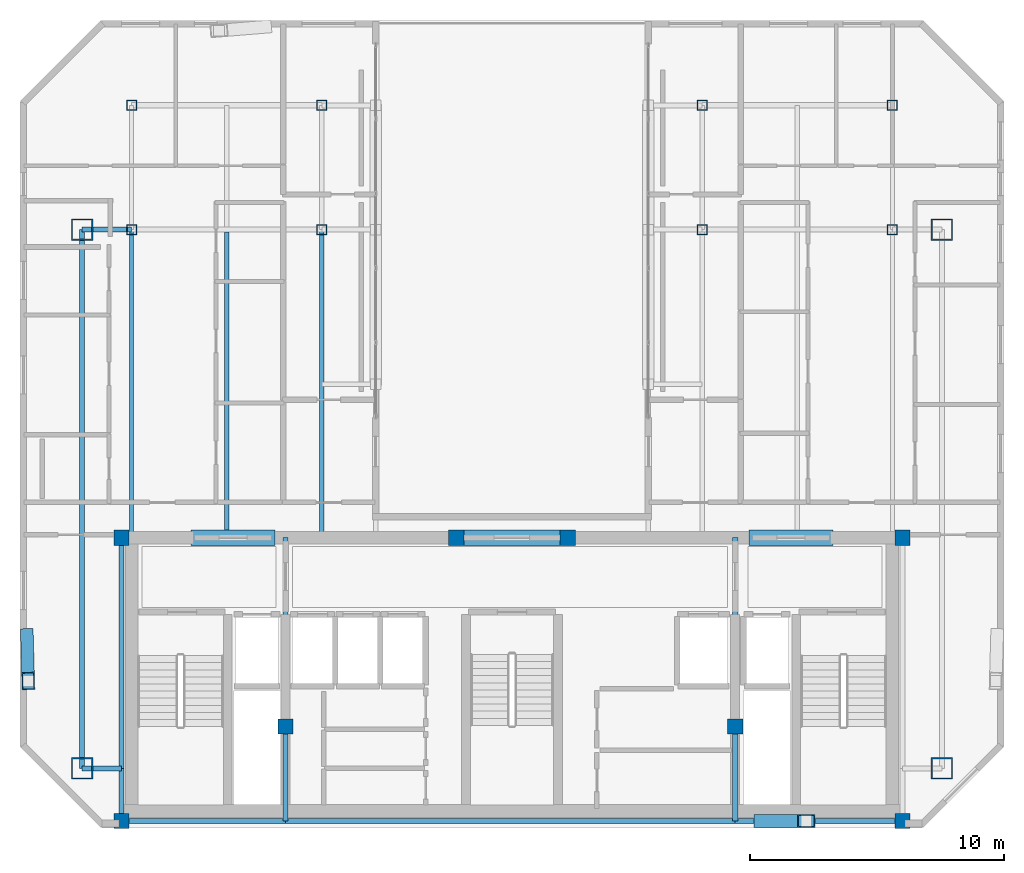
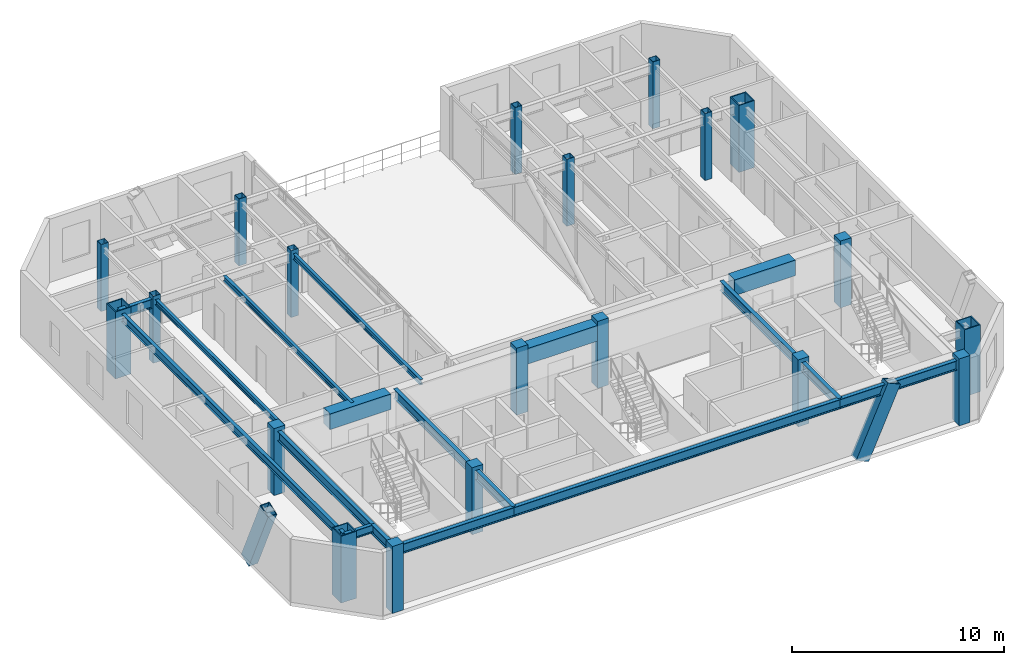
# One storey, part 1 of 14: 20 columns, 18 beams, 2 members.
"""IFC4 building model written with IfcOpenShell, lengths in metres."""

import ifcopenshell
import ifcopenshell.guid

model = None  # the IFC model being written
_history = None  # IfcOwnerHistory: only IFC2X3 demands one
_inside = {}  # id of a spatial element -> (the spatial element, [elements in it])
_under = {}  # id of a project, library or spatial element -> (it, [spatial elements below it])
_declared = {}  # id of a project -> (the project, [libraries it declares])
_typed = {}  # id of a type object -> (the type object, [elements of that type])
_made_of = {}  # id of a material, layer set ... -> (it, [elements and type objects made of it])


def new_model(schema):
    """Start an empty IFC model of exactly this schema.

    Asked for "IFC4X3", IfcOpenShell would pick the latest addendum, in which some entities
    have other attributes; the version numbers below select the first issue.
    IFC2X3 requires an IfcOwnerHistory on every rooted entity: one is made here for all.
    """
    global model, _history
    if schema == "IFC4X3":
        model = ifcopenshell.file(schema_version=(4, 3, 0, 0))
    else:
        model = ifcopenshell.file(schema=schema)
    _inside.clear()
    _under.clear()
    _declared.clear()
    _typed.clear()
    _made_of.clear()
    _history = None
    if model.schema == "IFC2X3":
        org = make("IfcOrganization", Name="unknown")
        user = make(
            "IfcPersonAndOrganization",
            ThePerson=make("IfcPerson", FamilyName="unknown"),
            TheOrganization=org,
        )
        app = make(
            "IfcApplication",
            ApplicationDeveloper=org,
            Version="unknown",
            ApplicationFullName="unknown",
            ApplicationIdentifier="unknown",
        )
        _history = make(
            "IfcOwnerHistory",
            OwningUser=user,
            OwningApplication=app,
            ChangeAction="ADDED",
            CreationDate=0,
        )
    return model


def make(cls, **values):
    """One entity of the class cls with the attributes given. An attribute that is None is left unset."""
    return model.create_entity(
        cls, **{name: value for name, value in values.items() if value is not None}
    )


def rooted(cls, **values):
    """An entity with a GlobalId (a new one), such as an element, a storey or a relation."""
    return make(cls, GlobalId=ifcopenshell.guid.new(), OwnerHistory=_history, **values)


def si_unit(unit_type, name, prefix=None):
    """IfcSIUnit, for example si_unit("LENGTHUNIT", "METRE", prefix="MILLI")."""
    return make("IfcSIUnit", UnitType=unit_type, Prefix=prefix, Name=name)


def assignment(units):
    """IfcUnitAssignment: the units of a project."""
    return None if units is None else make("IfcUnitAssignment", Units=units)


def point(xyz):
    """IfcCartesianPoint."""
    return None if xyz is None else make("IfcCartesianPoint", Coordinates=xyz)


def direction(xyz):
    """IfcDirection."""
    return None if xyz is None else make("IfcDirection", DirectionRatios=xyz)


def frame(location, z_axis=None, x_axis=None):
    """IfcAxis2Placement3D, a coordinate frame: its origin and axes. An axis left out is left unset."""
    return make(
        "IfcAxis2Placement3D",
        Location=point(location),
        Axis=direction(z_axis),
        RefDirection=direction(x_axis),
    )


def frame_2d(location, x_axis=None):
    """IfcAxis2Placement2D, a coordinate frame in the plane: its origin and x axis."""
    return make(
        "IfcAxis2Placement2D", Location=point(location), RefDirection=direction(x_axis)
    )


def origin():
    """The frame at (0, 0, 0) with its axes left unset."""
    return frame((0.0, 0.0, 0.0))


def origin_2d():
    """The frame at (0, 0) in the plane with its x axis left unset."""
    return frame_2d((0.0, 0.0))


def place(relative_to, where):
    """IfcLocalPlacement: puts the frame where relative to a parent placement (None: the world)."""
    return make(
        "IfcLocalPlacement", PlacementRelTo=relative_to, RelativePlacement=where
    )


def context(
    kind, dimensions, precision=None, world=None, true_north=None, identifier=None
):
    """IfcGeometricRepresentationContext, for example the 3D "Model" context."""
    return make(
        "IfcGeometricRepresentationContext",
        ContextIdentifier=identifier,
        ContextType=kind,
        CoordinateSpaceDimension=dimensions,
        Precision=precision,
        WorldCoordinateSystem=world,
        TrueNorth=true_north,
    )


def subcontext(parent, identifier, kind, view, scale=None):
    """IfcGeometricRepresentationSubContext, for example "Body" below "Model"."""
    return make(
        "IfcGeometricRepresentationSubContext",
        ContextIdentifier=identifier,
        ContextType=kind,
        ParentContext=parent,
        TargetScale=scale,
        TargetView=view,
    )


def project(units=None, contexts=None):
    """IfcProject with its units and contexts."""
    return rooted(
        "IfcProject",
        Name="project",
        RepresentationContexts=contexts,
        UnitsInContext=assignment(units),
    )


def spatial(cls, under=None, at=None, **own):
    """A site, building, storey or space (cls), placed at a placement, below another one or the project."""
    s = rooted(cls, ObjectPlacement=at, **own)
    if under is not None:
        _under.setdefault(under.id(), (under, []))[1].append(s)
    return s


def profile(cls, at=None, kind="AREA", **sizes):
    """A parametric profile (cls). Its sizes go by their IFC names, for example OverallWidth=200.0."""
    return make(cls, ProfileType=kind, Position=at, **sizes)


def rectangle(**sizes):
    """IfcRectangleProfileDef."""
    return profile("IfcRectangleProfileDef", **sizes)


def hollow_rectangle(**sizes):
    """IfcRectangleHollowProfileDef."""
    return profile("IfcRectangleHollowProfileDef", **sizes)


def i_section(**sizes):
    """IfcIShapeProfileDef."""
    return profile("IfcIShapeProfileDef", **sizes)


def extrude(swept, where, along, depth):
    """IfcExtrudedAreaSolid: the profile swept, set in the frame where, extruded along a direction by depth."""
    return make(
        "IfcExtrudedAreaSolid",
        SweptArea=swept,
        Position=where,
        ExtrudedDirection=direction(along),
        Depth=depth,
    )


def shape(context_of_items, identifier, shape_type, items):
    """IfcShapeRepresentation: the items that make up one representation, for example the "Body"."""
    return make(
        "IfcShapeRepresentation",
        ContextOfItems=context_of_items,
        RepresentationIdentifier=identifier,
        RepresentationType=shape_type,
        Items=items,
    )


def material(Name=None, Category=None):
    """IfcMaterial."""
    return make("IfcMaterial", Name=Name, Category=Category)


def material_profile(
    of_material, cross_section, Name=None, Category=None, Priority=None
):
    """IfcMaterialProfile: a cross section and its material."""
    return make(
        "IfcMaterialProfile",
        Name=Name,
        Material=of_material,
        Profile=cross_section,
        Priority=Priority,
        Category=Category,
    )


def profile_set(profiles, Name=None, composite=None):
    """IfcMaterialProfileSet."""
    return make(
        "IfcMaterialProfileSet",
        Name=Name,
        MaterialProfiles=profiles,
        CompositeProfile=composite,
    )


def made_of(thing, what):
    """Note that an element or type object is made of a material, layer set ...; save() writes the relation."""
    if what is not None:
        _made_of.setdefault(what.id(), (what, []))[1].append(thing)
    return thing


def type_object(cls, material=None, **own):
    """A type object (cls), such as IfcWallType, which elements share."""
    return made_of(rooted(cls, **own), material)


def element(
    cls,
    number,
    at=None,
    inside=None,
    cuts=None,
    type_object=None,
    material=None,
    context=None,
    identifier="Body",
    shape_type=None,
    held_by="IfcProductDefinitionShape",
    body=None,
    shapes=None,
    **own,
):
    """One element of the class cls, such as IfcWall. Its Tag is "e" and its number.

    at: its placement. inside: the storey or other place that contains it. cuts: it is an
    opening in that element (IfcRelVoidsElement). A single representation is given by context,
    identifier, shape_type and body (its items); several are given by shapes. held_by: the class
    of the entity that holds the representations. save() writes the other relations.
    """
    e = rooted(cls, Tag="e%d" % number, ObjectPlacement=at, **own)
    if body is not None:
        shapes = [shape(context, identifier, shape_type, body)]
    if shapes is not None:
        e.Representation = make(held_by, Representations=shapes)
    if inside is not None:
        _inside.setdefault(inside.id(), (inside, []))[1].append(e)
    if cuts is not None:
        rooted(
            "IfcRelVoidsElement", RelatingBuildingElement=cuts, RelatedOpeningElement=e
        )
    if type_object is not None:
        _typed.setdefault(type_object.id(), (type_object, []))[1].append(e)
    return made_of(e, material)


def aggregate(whole, parts):
    """IfcRelAggregates: a whole, such as a stair, and the parts it consists of."""
    return rooted("IfcRelAggregates", RelatingObject=whole, RelatedObjects=parts)


def save(model, path):
    """Write the relations noted so far, then the file.

    IfcRelAggregates (storeys below a building ...), IfcRelContainedInSpatialStructure (elements
    in a storey), IfcRelDefinesByType, IfcRelAssociatesMaterial and IfcRelDeclares: one each for
    every whole, place, type object, material and project.
    """
    for whole, parts in _under.values():
        aggregate(whole, parts)
    for where, things in _inside.values():
        rooted(
            "IfcRelContainedInSpatialStructure",
            RelatedElements=things,
            RelatingStructure=where,
        )
    for kind, things in _typed.values():
        rooted("IfcRelDefinesByType", RelatedObjects=things, RelatingType=kind)
    for what, things in _made_of.values():
        rooted("IfcRelAssociatesMaterial", RelatedObjects=things, RelatingMaterial=what)
    for by, libraries in _declared.values():
        rooted("IfcRelDeclares", RelatingContext=by, RelatedDefinitions=libraries)
    model.write(path)


model = new_model("IFC4")

# Units and contexts
model_context = context("Model", 3, precision=1e-05, world=origin(), true_north=direction((0.0, 1.0)))
body_context = subcontext(model_context, "Body", "Model", "MODEL_VIEW")
ifc_project = project(units=[si_unit("LENGTHUNIT", "METRE"), si_unit("AREAUNIT", "SQUARE_METRE"), si_unit("VOLUMEUNIT", "CUBIC_METRE"), si_unit("PLANEANGLEUNIT", "RADIAN"), si_unit("MASSUNIT", "GRAM", prefix="KILO")], contexts=[model_context])

# Site, building, storey
site_placement = place(None, origin())
site = spatial("IfcSite", under=ifc_project, at=site_placement, CompositionType="ELEMENT")
building_placement = place(site_placement, origin())
building = spatial("IfcBuilding", under=site, at=building_placement, Name="Ventersveld Concourse Tower", CompositionType="ELEMENT")
storey_placement = place(building_placement, frame((0.0, 0.0, 337.5)))
storey = spatial("IfcBuildingStorey", under=building, at=storey_placement, Name="L83", CompositionType="ELEMENT", Elevation=337.5)

# Columns
ifc_material_1 = material(Name="Concrete C50/60", Category="concrete")
ifc_material_profile_1 = material_profile(ifc_material_1, rectangle(XDim=0.60009765625, YDim=0.60009765625, at=origin_2d()), Name="RC 600x600")
ifc_profile_set_1 = profile_set([ifc_material_profile_1], Name="Concrete C50/60")
column_type_1 = type_object("IfcColumnType", Name="COL-RC600", PredefinedType="COLUMN", material=ifc_profile_set_1)
for number, where, z_axis, x_axis, name in (
    (1, (13.35009765625, 0.280029296875, 0.0), (0.0, 0.0, 1.0), (1.0, 0.0, 0.0), "L83 Core Spine Column CC-SW"),
    (2, (44.14990234375, 0.280029296875, 0.0), (0.0, 0.0, 1.0), (1.0, 0.0, 0.0), "L83 Core Spine Column CC-SE"),
    (3, (13.35009765625, 11.449951171875, 0.0), (0.0, 0.0, 1.0), (1.0, 0.0, 0.0), "L83 Core Spine Column CC-NW"),
    (4, (44.14990234375, 11.449951171875, 0.0), (0.0, 0.0, 1.0), (1.0, 0.0, 0.0), "L83 Core Spine Column CC-NE"),
    (5, (19.820068359375, 4.0, 0.0), (0.0, 0.0, 1.0), (1.0, 0.0, 0.0), "L83 Core Spine Column CM-1"),
    (6, (37.550048828125, 4.0, 0.0), (0.0, 0.0, 1.0), (1.0, 0.0, 0.0), "L83 Core Spine Column CM-2"),
    (7, (26.550048828125, 11.449951171875, 0.0), (0.0, 0.0, 1.0), (1.0, 0.0, 0.0), "L83 Core Spine Column CM-3"),
    (8, (30.949951171875, 11.449951171875, 0.0), (0.0, 0.0, 1.0), (1.0, 0.0, 0.0), "L83 Core Spine Column CM-4"),
):
    element("IfcColumn", number, at=place(storey_placement, frame(where, z_axis=z_axis, x_axis=x_axis)), inside=storey, type_object=column_type_1, Name=name, PredefinedType="COLUMN", context=body_context, shape_type="SweptSolid", body=[
        extrude(rectangle(XDim=0.60009765625, YDim=0.60009765625, at=origin_2d()), origin(), (0.0, 0.0, 1.0), 3.85009765625),
    ])
ifc_material_2 = material(Name="Structural steel S355J2", Category="steel")
ifc_material_profile_2 = material_profile(ifc_material_2, hollow_rectangle(XDim=0.39990234375, YDim=0.39990234375, WallThickness=0.02001953125, at=origin_2d()), Name="SHS 400x400x20")
ifc_profile_set_2 = profile_set([ifc_material_profile_2], Name="Structural steel S355J2")
column_type_2 = type_object("IfcColumnType", Name="COL-SHS400", PredefinedType="COLUMN", material=ifc_profile_set_2)
for number, where, z_axis, x_axis, name in (
    (9, (13.75, 23.60009765625, 0.0), (0.0, 0.0, 1.0), (1.0, 0.0, 0.0), "L83 Interior Gravity Column X=13.75 Y=23.60"),
    (10, (21.25, 23.60009765625, 0.0), (0.0, 0.0, 1.0), (1.0, 0.0, 0.0), "L83 Interior Gravity Column X=21.25 Y=23.60"),
    (11, (36.25, 23.60009765625, 0.0), (0.0, 0.0, 1.0), (1.0, 0.0, 0.0), "L83 Interior Gravity Column X=36.25 Y=23.60"),
    (12, (43.75, 23.60009765625, 0.0), (0.0, 0.0, 1.0), (1.0, 0.0, 0.0), "L83 Interior Gravity Column X=43.75 Y=23.60"),
    (13, (13.75, 28.5, 0.0), (0.0, 0.0, 1.0), (1.0, 0.0, 0.0), "L83 Upper-North Gravity Column X=13.75 Y=28.50"),
    (14, (21.25, 28.5, 0.0), (0.0, 0.0, 1.0), (1.0, 0.0, 0.0), "L83 Upper-North Gravity Column X=21.25 Y=28.50"),
    (15, (36.25, 28.5, 0.0), (0.0, 0.0, 1.0), (1.0, 0.0, 0.0), "L83 Upper-North Gravity Column X=36.25 Y=28.50"),
    (16, (43.75, 28.5, 0.0), (0.0, 0.0, 1.0), (1.0, 0.0, 0.0), "L83 Upper-North Gravity Column X=43.75 Y=28.50"),
):
    element("IfcColumn", number, at=place(storey_placement, frame(where, z_axis=z_axis, x_axis=x_axis)), inside=storey, type_object=column_type_2, Name=name, PredefinedType="COLUMN", context=body_context, shape_type="SweptSolid", body=[
        extrude(hollow_rectangle(XDim=0.39990234375, YDim=0.39990234375, WallThickness=0.02001953125, at=origin_2d()), origin(), (0.0, 0.0, 1.0), 3.85009765625),
    ])
ifc_material_3 = material(Name="Structural steel S460ML", Category="steel")
ifc_material_profile_3 = material_profile(ifc_material_3, hollow_rectangle(XDim=0.85009765625, YDim=0.85009765625, WallThickness=0.050048828125, at=origin_2d()), Name="BOX 850x850x50")
ifc_profile_set_3 = profile_set([ifc_material_profile_3], Name="Structural steel S460ML")
column_type_3 = type_object("IfcColumnType", Name="MC-850", PredefinedType="USERDEFINED", material=ifc_profile_set_3)
for number, where, z_axis, x_axis, name in (
    (17, (11.800048828125, 2.35009765625, 0.0), (0.0, 0.0, 1.0), (1.0, 0.0, 0.0), "L83 Corner Mega-Column MC-SW"),
    (18, (45.699951171875, 2.35009765625, 0.0), (0.0, 0.0, 1.0), (1.0, 0.0, 0.0), "L83 Corner Mega-Column MC-SE"),
    (19, (45.699951171875, 23.60009765625, 0.0), (0.0, 0.0, 1.0), (1.0, 0.0, 0.0), "L83 Corner Mega-Column MC-NE"),
    (20, (11.800048828125, 23.60009765625, 0.0), (0.0, 0.0, 1.0), (1.0, 0.0, 0.0), "L83 Corner Mega-Column MC-NW"),
):
    element("IfcColumn", number, at=place(storey_placement, frame(where, z_axis=z_axis, x_axis=x_axis)), inside=storey, type_object=column_type_3, Name=name, ObjectType="MEGA_COLUMN", PredefinedType="USERDEFINED", context=body_context, shape_type="SweptSolid", body=[
        extrude(hollow_rectangle(XDim=0.85009765625, YDim=0.85009765625, WallThickness=0.050048828125, at=origin_2d()), origin(), (0.0, 0.0, 1.0), 3.85009765625),
    ])

# Beams
ifc_material_profile_4 = material_profile(ifc_material_2, i_section(OverallWidth=0.1650390625, OverallDepth=0.303466796875, WebThickness=0.006103515625, FlangeThickness=0.01025390625, FilletRadius=0.0087890625, at=origin_2d()), Name="UB 305x165x40")
ifc_profile_set_4 = profile_set([ifc_material_profile_4], Name="Structural steel S355J2")
beam_type_1 = type_object("IfcBeamType", Name="BM-UB305", PredefinedType="BEAM", material=ifc_profile_set_4)
beam_1_placement = place(storey_placement, frame((13.75, 11.449951171875, 3.478271484375), z_axis=(0.0, 1.0, 0.0), x_axis=(-1.0, 0.0, 0.0)))
element("IfcBeam", 21, at=beam_1_placement, inside=storey, type_object=beam_type_1, Name="L83 N-S Composite Floor Beam South X=13.75", PredefinedType="BEAM", context=body_context, shape_type="SweptSolid", body=[
    extrude(i_section(OverallWidth=0.1650390625, OverallDepth=0.303466796875, WebThickness=0.006103515625, FlangeThickness=0.01025390625, FilletRadius=0.0087890625, at=origin_2d()), origin(), (0.0, 0.0, 1.0), 12.150146484375),
])
beam_2_placement = place(storey_placement, frame((17.5, 11.449951171875, 3.478271484375), z_axis=(0.0, 1.0, 0.0), x_axis=(-1.0, 0.0, 0.0)))
element("IfcBeam", 22, at=beam_2_placement, inside=storey, type_object=beam_type_1, Name="L83 N-S Composite Floor Beam South X=17.50", PredefinedType="BEAM", context=body_context, shape_type="SweptSolid", body=[
    extrude(i_section(OverallWidth=0.1650390625, OverallDepth=0.303466796875, WebThickness=0.006103515625, FlangeThickness=0.01025390625, FilletRadius=0.0087890625, at=origin_2d()), origin(), (0.0, 0.0, 1.0), 12.054931640625),
])
beam_3_placement = place(storey_placement, frame((21.25, 11.449951171875, 3.478271484375), z_axis=(0.0, 1.0, 0.0), x_axis=(-1.0, 0.0, 0.0)))
element("IfcBeam", 23, at=beam_3_placement, inside=storey, type_object=beam_type_1, Name="L83 N-S Composite Floor Beam South X=21.25", PredefinedType="BEAM", context=body_context, shape_type="SweptSolid", body=[
    extrude(i_section(OverallWidth=0.1650390625, OverallDepth=0.303466796875, WebThickness=0.006103515625, FlangeThickness=0.01025390625, FilletRadius=0.0087890625, at=origin_2d()), origin(), (0.0, 0.0, 1.0), 12.150146484375),
])
ifc_material_profile_5 = material_profile(ifc_material_1, rectangle(XDim=0.60009765625, YDim=0.89990234375, at=origin_2d()), Name="RC 600x900")
ifc_profile_set_5 = profile_set([ifc_material_profile_5], Name="Concrete C50/60")
beam_type_2 = type_object("IfcBeamType", Name="CB-RC600x900U", PredefinedType="LINTEL", material=ifc_profile_set_5)
beam_4_placement = place(storey_placement, frame((16.10009765625, 11.449951171875, 3.179931640625), z_axis=(1.0, 0.0, 0.0), x_axis=(0.0, 1.0, 0.0)))
element("IfcBeam", 24, at=beam_4_placement, inside=storey, type_object=beam_type_2, Name="L83 Core Coupling Lintel Beam 1", PredefinedType="LINTEL", context=body_context, shape_type="SweptSolid", body=[
    extrude(rectangle(XDim=0.60009765625, YDim=0.89990234375, at=origin_2d()), origin(), (0.0, 0.0, 1.0), 3.2998046875),
])
beam_5_placement = place(storey_placement, frame((26.5, 11.449951171875, 3.179931640625), z_axis=(1.0, 0.0, 0.0), x_axis=(0.0, 1.0, 0.0)))
element("IfcBeam", 25, at=beam_5_placement, inside=storey, type_object=beam_type_2, Name="L83 Core Coupling Lintel Beam 2", PredefinedType="LINTEL", context=body_context, shape_type="SweptSolid", body=[
    extrude(rectangle(XDim=0.60009765625, YDim=0.89990234375, at=origin_2d()), origin(), (0.0, 0.0, 1.0), 4.5),
])
beam_6_placement = place(storey_placement, frame((38.10009765625, 11.449951171875, 3.179931640625), z_axis=(1.0, 0.0, 0.0), x_axis=(0.0, 1.0, 0.0)))
element("IfcBeam", 26, at=beam_6_placement, inside=storey, type_object=beam_type_2, Name="L83 Core Coupling Lintel Beam 3", PredefinedType="LINTEL", context=body_context, shape_type="SweptSolid", body=[
    extrude(rectangle(XDim=0.60009765625, YDim=0.89990234375, at=origin_2d()), origin(), (0.0, 0.0, 1.0), 3.2998046875),
])
ifc_material_profile_6 = material_profile(ifc_material_2, i_section(OverallWidth=0.209228515625, OverallDepth=0.533203125, WebThickness=0.010009765625, FlangeThickness=0.015625, FilletRadius=0.0126953125, at=origin_2d()), Name="UB 533x210x92")
ifc_profile_set_6 = profile_set([ifc_material_profile_6], Name="Structural steel S355J2")
beam_type_3 = type_object("IfcBeamType", Name="GRD-UB533", PredefinedType="T_BEAM", material=ifc_profile_set_6)
beam_7_placement = place(storey_placement, frame((11.800048828125, 23.60009765625, 3.363525390625), z_axis=(1.0, 0.0, 0.0), x_axis=(0.0, 1.0, 0.0)))
element("IfcBeam", 27, at=beam_7_placement, inside=storey, type_object=beam_type_3, Name="L83 Primary E-W Grid Girder Y=23.60 #1", PredefinedType="T_BEAM", context=body_context, shape_type="SweptSolid", body=[
    extrude(i_section(OverallWidth=0.209228515625, OverallDepth=0.533203125, WebThickness=0.010009765625, FlangeThickness=0.015625, FilletRadius=0.0126953125, at=origin_2d()), origin(), (0.0, 0.0, 1.0), 1.949951171875),
])
ifc_material_profile_7 = material_profile(ifc_material_2, i_section(OverallWidth=0.2119140625, OverallDepth=0.54443359375, WebThickness=0.0126953125, FlangeThickness=0.021240234375, FilletRadius=0.0126953125, at=origin_2d()), Name="UB 533x210x122")
ifc_profile_set_7 = profile_set([ifc_material_profile_7], Name="Structural steel S355J2")
beam_type_4 = type_object("IfcBeamType", Name="GRD-UB533H", PredefinedType="T_BEAM", material=ifc_profile_set_7)
beam_8_placement = place(storey_placement, frame((13.35009765625, 0.280029296875, 3.35791015625), z_axis=(0.0, 1.0, 0.0), x_axis=(-1.0, 0.0, 0.0)))
element("IfcBeam", 28, at=beam_8_placement, inside=storey, type_object=beam_type_4, Name="L83 Core West Tie Beam S", PredefinedType="T_BEAM", context=body_context, shape_type="SweptSolid", body=[
    extrude(i_section(OverallWidth=0.2119140625, OverallDepth=0.54443359375, WebThickness=0.0126953125, FlangeThickness=0.021240234375, FilletRadius=0.0126953125, at=origin_2d()), origin(), (0.0, 0.0, 1.0), 2.070068359375),
])
beam_9_placement = place(storey_placement, frame((13.35009765625, 2.35009765625, 3.35791015625), z_axis=(0.0, 1.0, 0.0), x_axis=(-1.0, 0.0, 0.0)))
element("IfcBeam", 29, at=beam_9_placement, inside=storey, type_object=beam_type_4, Name="L83 Core West Tie Beam N", PredefinedType="T_BEAM", context=body_context, shape_type="SweptSolid", body=[
    extrude(i_section(OverallWidth=0.2119140625, OverallDepth=0.54443359375, WebThickness=0.0126953125, FlangeThickness=0.021240234375, FilletRadius=0.0126953125, at=origin_2d()), origin(), (0.0, 0.0, 1.0), 9.099853515625),
])
beam_10_placement = place(storey_placement, frame((13.35009765625, 0.280029296875, 3.35791015625), z_axis=(1.0, 0.0, 0.0), x_axis=(0.0, 1.0, 0.0)))
element("IfcBeam", 30, at=beam_10_placement, inside=storey, type_object=beam_type_4, Name="L83 Core South Tie Beam W", PredefinedType="T_BEAM", context=body_context, shape_type="SweptSolid", body=[
    extrude(i_section(OverallWidth=0.2119140625, OverallDepth=0.54443359375, WebThickness=0.0126953125, FlangeThickness=0.021240234375, FilletRadius=0.0126953125, at=origin_2d()), origin(), (0.0, 0.0, 1.0), 6.469970703125),
])
beam_11_placement = place(storey_placement, frame((19.820068359375, 0.280029296875, 3.35791015625), z_axis=(1.0, 0.0, 0.0), x_axis=(0.0, 1.0, 0.0)))
element("IfcBeam", 31, at=beam_11_placement, inside=storey, type_object=beam_type_4, Name="L83 Core South Tie Beam C", PredefinedType="T_BEAM", context=body_context, shape_type="SweptSolid", body=[
    extrude(i_section(OverallWidth=0.2119140625, OverallDepth=0.54443359375, WebThickness=0.0126953125, FlangeThickness=0.021240234375, FilletRadius=0.0126953125, at=origin_2d()), origin(), (0.0, 0.0, 1.0), 17.72998046875),
])
beam_12_placement = place(storey_placement, frame((37.550048828125, 0.280029296875, 3.35791015625), z_axis=(1.0, 0.0, 0.0), x_axis=(0.0, 1.0, 0.0)))
element("IfcBeam", 32, at=beam_12_placement, inside=storey, type_object=beam_type_4, Name="L83 Core South Tie Beam E", PredefinedType="T_BEAM", context=body_context, shape_type="SweptSolid", body=[
    extrude(i_section(OverallWidth=0.2119140625, OverallDepth=0.54443359375, WebThickness=0.0126953125, FlangeThickness=0.021240234375, FilletRadius=0.0126953125, at=origin_2d()), origin(), (0.0, 0.0, 1.0), 6.599853515625),
])
beam_13_placement = place(storey_placement, frame((19.820068359375, 0.280029296875, 3.35791015625), z_axis=(0.0, 1.0, 0.0), x_axis=(-1.0, 0.0, 0.0)))
element("IfcBeam", 33, at=beam_13_placement, inside=storey, type_object=beam_type_4, Name="L83 Core Spine N-S Tie Beam W1", PredefinedType="T_BEAM", context=body_context, shape_type="SweptSolid", body=[
    extrude(i_section(OverallWidth=0.2119140625, OverallDepth=0.54443359375, WebThickness=0.0126953125, FlangeThickness=0.021240234375, FilletRadius=0.0126953125, at=origin_2d()), origin(), (0.0, 0.0, 1.0), 3.719970703125),
])
beam_14_placement = place(storey_placement, frame((19.820068359375, 4.0, 3.35791015625), z_axis=(0.0, 1.0, 0.0), x_axis=(-1.0, 0.0, 0.0)))
element("IfcBeam", 34, at=beam_14_placement, inside=storey, type_object=beam_type_4, Name="L83 Core Spine N-S Tie Beam W2", PredefinedType="T_BEAM", context=body_context, shape_type="SweptSolid", body=[
    extrude(i_section(OverallWidth=0.2119140625, OverallDepth=0.54443359375, WebThickness=0.0126953125, FlangeThickness=0.021240234375, FilletRadius=0.0126953125, at=origin_2d()), origin(), (0.0, 0.0, 1.0), 7.449951171875),
])
beam_15_placement = place(storey_placement, frame((37.550048828125, 0.280029296875, 3.35791015625), z_axis=(0.0, 1.0, 0.0), x_axis=(-1.0, 0.0, 0.0)))
element("IfcBeam", 35, at=beam_15_placement, inside=storey, type_object=beam_type_4, Name="L83 Core Spine N-S Tie Beam E1", PredefinedType="T_BEAM", context=body_context, shape_type="SweptSolid", body=[
    extrude(i_section(OverallWidth=0.2119140625, OverallDepth=0.54443359375, WebThickness=0.0126953125, FlangeThickness=0.021240234375, FilletRadius=0.0126953125, at=origin_2d()), origin(), (0.0, 0.0, 1.0), 3.719970703125),
])
beam_16_placement = place(storey_placement, frame((37.550048828125, 4.0, 3.35791015625), z_axis=(0.0, 1.0, 0.0), x_axis=(-1.0, 0.0, 0.0)))
element("IfcBeam", 36, at=beam_16_placement, inside=storey, type_object=beam_type_4, Name="L83 Core Spine N-S Tie Beam E2", PredefinedType="T_BEAM", context=body_context, shape_type="SweptSolid", body=[
    extrude(i_section(OverallWidth=0.2119140625, OverallDepth=0.54443359375, WebThickness=0.0126953125, FlangeThickness=0.021240234375, FilletRadius=0.0126953125, at=origin_2d()), origin(), (0.0, 0.0, 1.0), 7.449951171875),
])

# Members
ifc_material_4 = material(Name="Structural steel S355ML", Category="steel")
ifc_material_profile_8 = material_profile(ifc_material_4, hollow_rectangle(XDim=0.5, YDim=0.75, WallThickness=0.034912109375, at=origin_2d()), Name="BOX 750x500x35")
ifc_profile_set_8 = profile_set([ifc_material_profile_8], Name="Structural steel S355ML")
member_type = type_object("IfcMemberType", Name="MB-750x500", PredefinedType="BRACE", material=ifc_profile_set_8)
for number, where, z_axis, x_axis, name in (
    (37, (38.62841796875, 0.280029296875, -0.219970703125), (0.408676968116, 0.0, 0.912679097893), (0.0, 1.0, 0.0), "L83 Exterior Mega-Brace S (Module M20)"),
    (38, (9.62353515625, 7.521484375, -0.219970703125), (0.011632977634, -0.408601104942, 0.912638926888), (0.9995949685, 0.028458723607, 0.0), "L83 Exterior Mega-Brace W (Module M20)"),
):
    element("IfcMember", number, at=place(storey_placement, frame(where, z_axis=z_axis, x_axis=x_axis)), inside=storey, type_object=member_type, Name=name, PredefinedType="BRACE", context=body_context, shape_type="SweptSolid", body=[
        extrude(hollow_rectangle(XDim=0.5, YDim=0.75, WallThickness=0.034912109375, at=origin_2d()), origin(), (0.0, 0.0, 1.0), 4.21826171875),
    ])

# Beams
ifc_material_profile_9 = material_profile(ifc_material_2, i_section(OverallWidth=0.19140625, OverallDepth=0.4599609375, WebThickness=0.010009765625, FlangeThickness=0.01611328125, FilletRadius=0.01025390625, at=origin_2d()), Name="UB 457x191x82")
ifc_profile_set_9 = profile_set([ifc_material_profile_9], Name="Structural steel S355J2")
beam_type_5 = type_object("IfcBeamType", Name="SPD-UB457", PredefinedType="SPANDREL", material=ifc_profile_set_9)
beam_17_placement = place(storey_placement, frame((11.800048828125, 2.35009765625, 3.39990234375), z_axis=(1.0, 0.0, 0.0), x_axis=(0.0, 1.0, 0.0)))
element("IfcBeam", 39, at=beam_17_placement, inside=storey, type_object=beam_type_5, Name="L83 SW Spandrel Beam", PredefinedType="SPANDREL", context=body_context, shape_type="SweptSolid", body=[
    extrude(i_section(OverallWidth=0.19140625, OverallDepth=0.4599609375, WebThickness=0.010009765625, FlangeThickness=0.01611328125, FilletRadius=0.01025390625, at=origin_2d()), origin(), (0.0, 0.0, 1.0), 1.550048828125),
])
beam_18_placement = place(storey_placement, frame((11.800048828125, 2.35009765625, 3.39990234375), z_axis=(0.0, 1.0, 0.0), x_axis=(-1.0, 0.0, 0.0)))
element("IfcBeam", 40, at=beam_18_placement, inside=storey, type_object=beam_type_5, Name="L83 West Spandrel Beam", PredefinedType="SPANDREL", context=body_context, shape_type="SweptSolid", body=[
    extrude(i_section(OverallWidth=0.19140625, OverallDepth=0.4599609375, WebThickness=0.010009765625, FlangeThickness=0.01611328125, FilletRadius=0.01025390625, at=origin_2d()), origin(), (0.0, 0.0, 1.0), 21.25),
])

save(model, "model.ifc")
